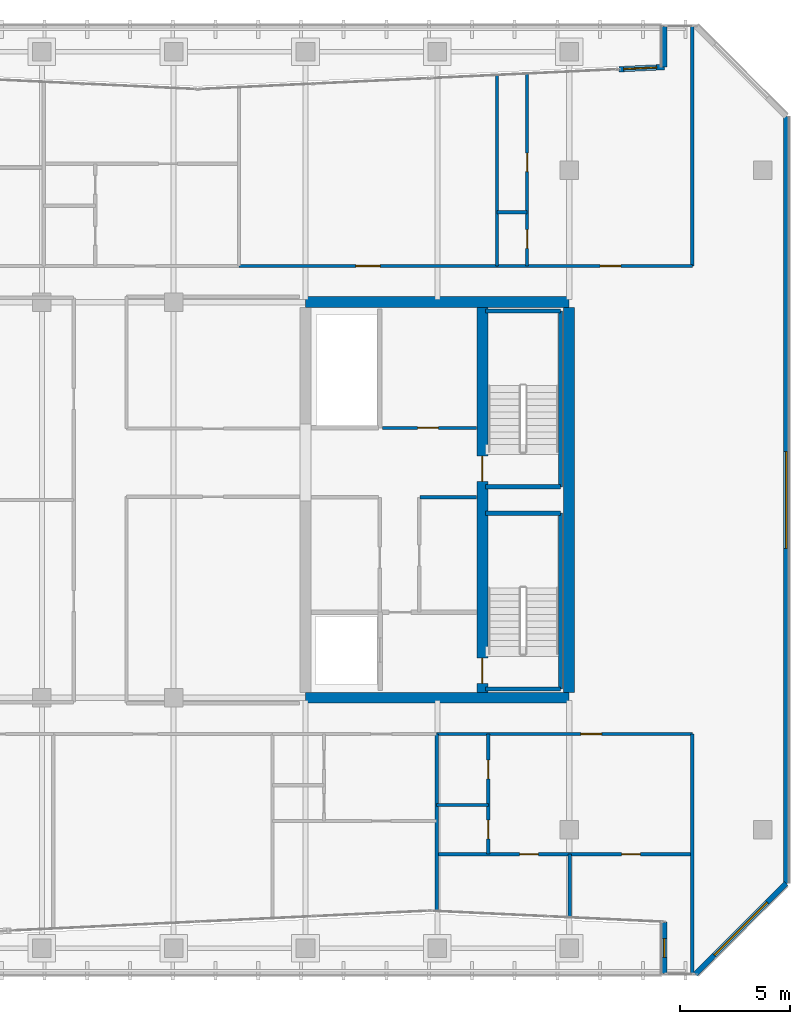
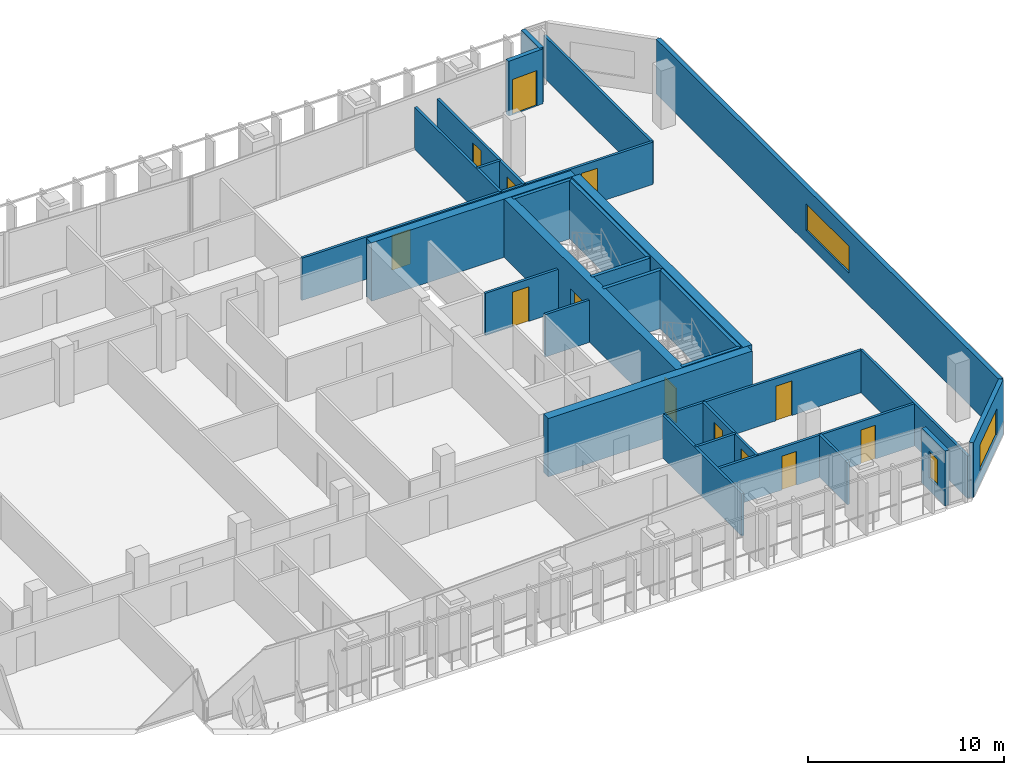
# One storey, part 22 of 28: 30 walls, 13 doors, 3 windows, 16 openings.
"""IFC4 building model written with IfcOpenShell, lengths in metres."""

from ifc_helpers import new_model, si_unit, direction, frame, frame_2d, origin, place, context, subcontext, project, spatial, rectangle, extrude, material, layer, layer_set, type_object, element, fill, save


model = new_model("IFC4")

# Units and contexts
model_context = context("Model", 3, precision=1e-05, world=origin(), true_north=direction((0.0, 1.0)))
body_context = subcontext(model_context, "Body", "Model", "MODEL_VIEW")
ifc_project = project(units=[si_unit("LENGTHUNIT", "METRE"), si_unit("AREAUNIT", "SQUARE_METRE"), si_unit("VOLUMEUNIT", "CUBIC_METRE"), si_unit("PLANEANGLEUNIT", "RADIAN"), si_unit("MASSUNIT", "GRAM", prefix="KILO")], contexts=[model_context])

# Site, building, storey
site_placement = place(None, origin())
site = spatial("IfcSite", under=ifc_project, at=site_placement, CompositionType="ELEMENT")
building_placement = place(site_placement, origin())
building = spatial("IfcBuilding", under=site, at=building_placement, Name="Tanjung Sevakor Pilgrim Tower", CompositionType="ELEMENT")
storey_placement = place(building_placement, frame((0.0, 0.0, 158.39990234375)))
storey = spatial("IfcBuildingStorey", under=building, at=storey_placement, Name="L44", CompositionType="ELEMENT", Elevation=158.39990234375)

# Walls
ifc_material_1 = material(Name="Concrete C60/75", Category="concrete")
ifc_layer_1 = layer(ifc_material_1, 0.5)
ifc_layer_set_1 = layer_set([ifc_layer_1], Name="WALL-CW-500")
wall_type_1 = type_object("IfcWallType", Name="WALL-CW-500", PredefinedType="SHEAR", material=ifc_layer_set_1)
for number, where, z_axis, x_axis, name in (
    (1, (78.0, 24.60009765625, 0.0), (0.0, 0.0, 1.0), (1.0, 0.0, 0.0), "L44 E Core South Shear Wall"),
    (2, (90.0, 42.60009765625, 0.0), (0.0, 0.0, 1.0), (-1.0, 0.0, 0.0), "L44 E Core North Shear Wall"),
):
    element("IfcWall", number, at=place(storey_placement, frame(where, z_axis=z_axis, x_axis=x_axis)), inside=storey, type_object=wall_type_1, Name=name, PredefinedType="SHEAR", context=body_context, shape_type="SweptSolid", body=[
        extrude(rectangle(XDim=12.0, YDim=0.5, at=frame_2d((6.0, 0.0))), origin(), (0.0, 0.0, 1.0), 3.630126953125),
    ])
wall_1_placement = place(storey_placement, frame((90.0, 24.85009765625, 0.0), z_axis=(0.0, 0.0, 1.0), x_axis=(0.0, 1.0, 0.0)))
element("IfcWall", 3, at=wall_1_placement, inside=storey, type_object=wall_type_1, Name="L44 E Core Outer Shear Wall", PredefinedType="SHEAR", context=body_context, shape_type="SweptSolid", body=[
    extrude(rectangle(XDim=17.5, YDim=0.5, at=frame_2d((8.75, 0.0))), origin(), (0.0, 0.0, 1.0), 3.630126953125),
])

# Wall, openings, doors
wall_2_placement = place(storey_placement, frame((86.050048828125, 24.85009765625, 0.0), z_axis=(0.0, 0.0, 1.0), x_axis=(0.0, 1.0, 0.0)))
wall_2 = element("IfcWall", 4, at=wall_2_placement, inside=storey, type_object=wall_type_1, Name="L44 E Core Stair Spine Wall", PredefinedType="SHEAR", context=body_context, shape_type="SweptSolid", body=[
    extrude(rectangle(XDim=17.5, YDim=0.5, at=frame_2d((8.75, 0.0))), origin(), (0.0, 0.0, 1.0), 3.630126953125),
])
opening_1_placement = place(wall_2_placement, frame((0.39990234375, 0.0, 0.0)))
opening_1 = element("IfcOpeningElement", 5, at=opening_1_placement, cuts=wall_2, Name="Opening ID-ST1", PredefinedType="OPENING", context=body_context, shape_type="SweptSolid", body=[
    extrude(rectangle(XDim=1.14990234375, YDim=2.14990234375, at=frame_2d((0.574951171875, 1.074951171875))), frame((0.0, 0.260009765625, 0.0), z_axis=(0.0, -1.0, 0.0), x_axis=(1.0, 0.0, 0.0)), (0.0, 0.0, 1.0), 0.52001953125),
])
opening_2_placement = place(wall_2_placement, frame((9.60009765625, 0.0, 0.0)))
opening_2 = element("IfcOpeningElement", 6, at=opening_2_placement, cuts=wall_2, Name="Opening ID-ST1", PredefinedType="OPENING", context=body_context, shape_type="SweptSolid", body=[
    extrude(rectangle(XDim=1.14990234375, YDim=2.14990234375, at=frame_2d((0.574951171875, 1.074951171875))), frame((0.0, 0.260009765625, 0.0), z_axis=(0.0, -1.0, 0.0), x_axis=(1.0, 0.0, 0.0)), (0.0, 0.0, 1.0), 0.52001953125),
])
ifc_material_2 = material(Name="Fire-Rated Steel S355J2", Category="steel")
door_type_1 = type_object("IfcDoorType", Name="DT-FIRE-1150", OperationType="NOTDEFINED", PredefinedType="DOOR", material=ifc_material_2)
door_1_placement = place(opening_1_placement, origin())
door_1 = element("IfcDoor", 7, at=door_1_placement, inside=storey, type_object=door_type_1, Name="L44 TS-E1 Stair Fire Door", OperationType="SINGLE_SWING_LEFT", OverallHeight=2.14990234375, OverallWidth=1.14990234375, PredefinedType="DOOR", context=body_context, shape_type="SweptSolid", body=[
    extrude(rectangle(XDim=1.14990234375, YDim=2.14990234375, at=frame_2d((0.574951171875, 1.074951171875))), frame((0.0, 0.02490234375, 0.0), z_axis=(0.0, -1.0, 0.0), x_axis=(1.0, 0.0, 0.0)), (0.0, 0.0, 1.0), 0.050048828125),
])
fill(opening_1, door_1)
door_2_placement = place(opening_2_placement, origin())
door_2 = element("IfcDoor", 8, at=door_2_placement, inside=storey, type_object=door_type_1, Name="L44 TS-E2 Stair Fire Door", OperationType="SINGLE_SWING_RIGHT", OverallHeight=2.14990234375, OverallWidth=1.14990234375, PredefinedType="DOOR", context=body_context, shape_type="SweptSolid", body=[
    extrude(rectangle(XDim=1.14990234375, YDim=2.14990234375, at=frame_2d((0.574951171875, 1.074951171875))), frame((0.0, 0.02490234375, 0.0), z_axis=(0.0, -1.0, 0.0), x_axis=(1.0, 0.0, 0.0)), (0.0, 0.0, 1.0), 0.050048828125),
])
fill(opening_2, door_2)

# Wall
ifc_material_3 = material(Name="Concrete C40/50", Category="concrete")
ifc_layer_2 = layer(ifc_material_3, 0.14990234375)
ifc_layer_set_2 = layer_set([ifc_layer_2], Name="WT-COMP-150")
wall_type_2 = type_object("IfcWallType", Name="WT-COMP-150", PredefinedType="SOLIDWALL", material=ifc_layer_set_2)
wall_3_placement = place(storey_placement, frame((83.199951171875, 33.719970703125, 0.0), z_axis=(0.0, 0.0, 1.0), x_axis=(1.0, 0.0, 0.0)))
element("IfcWall", 9, at=wall_3_placement, inside=storey, type_object=wall_type_2, Name="L44 Partition IW-L44-012", PredefinedType="SOLIDWALL", context=body_context, shape_type="SweptSolid", body=[
    extrude(rectangle(XDim=2.580078125, YDim=0.14990234375, at=frame_2d((1.2900390625, 0.0))), origin(), (0.0, 0.0, 1.0), 2.6298828125),
])

# Wall, opening, door
wall_4_placement = place(storey_placement, frame((81.5, 36.8798828125, 0.0), z_axis=(0.0, 0.0, 1.0), x_axis=(1.0, 0.0, 0.0)))
wall_4 = element("IfcWall", 10, at=wall_4_placement, inside=storey, type_object=wall_type_2, Name="L44 Partition IW-L44-016", PredefinedType="SOLIDWALL", context=body_context, shape_type="SweptSolid", body=[
    extrude(rectangle(XDim=4.280029296875, YDim=0.14990234375, at=frame_2d((2.14013671875, 0.0))), origin(), (0.0, 0.0, 1.0), 2.6298828125),
])
opening_3_placement = place(wall_4_placement, frame((1.60009765625, 0.0, 0.0)))
opening_3 = element("IfcOpeningElement", 11, at=opening_3_placement, cuts=wall_4, Name="Opening ID-FD2", PredefinedType="OPENING", context=body_context, shape_type="SweptSolid", body=[
    extrude(rectangle(XDim=0.949951171875, YDim=2.14990234375, at=frame_2d((0.47509765625, 1.074951171875))), frame((0.0, 0.0849609375, 0.0), z_axis=(0.0, -1.0, 0.0), x_axis=(1.0, 0.0, 0.0)), (0.0, 0.0, 1.0), 0.169921875),
])
ifc_material_4 = material(Name="Fire-Rated Timber", Category="wood")
door_type_2 = type_object("IfcDoorType", Name="DT-FIRE-950", OperationType="NOTDEFINED", PredefinedType="DOOR", material=ifc_material_4)
door_3_placement = place(opening_3_placement, origin())
door_3 = element("IfcDoor", 12, at=door_3_placement, inside=storey, type_object=door_type_2, Name="L44 Core Prayer Room Door", OperationType="SINGLE_SWING_LEFT", OverallHeight=2.14990234375, OverallWidth=0.949951171875, PredefinedType="DOOR", context=body_context, shape_type="SweptSolid", body=[
    extrude(rectangle(XDim=0.949951171875, YDim=2.14990234375, at=frame_2d((0.47509765625, 1.074951171875))), frame((0.0, 0.02490234375, 0.0), z_axis=(0.0, -1.0, 0.0), x_axis=(1.0, 0.0, 0.0)), (0.0, 0.0, 1.0), 0.050048828125),
])
fill(opening_3, door_3)

# Walls
wall_5_placement = place(storey_placement, frame((95.60009765625, 12.02490234375, 0.0), z_axis=(0.0, 0.0, 1.0), x_axis=(0.0, 1.0, 0.0)))
element("IfcWall", 13, at=wall_5_placement, inside=storey, type_object=wall_type_2, Name="L44 Partition IW-L44-065", PredefinedType="SOLIDWALL", context=body_context, shape_type="SweptSolid", body=[
    extrude(rectangle(XDim=10.925048828125, YDim=0.14990234375, at=frame_2d((5.46240234375, 0.0))), origin(), (0.0, 0.0, 1.0), 2.6298828125),
])
wall_6_placement = place(storey_placement, frame((83.968505859375, 14.889892578125, 0.0), z_axis=(0.0, 0.0, 1.0), x_axis=(0.0, 1.0, 0.0)))
element("IfcWall", 14, at=wall_6_placement, inside=storey, type_object=wall_type_2, Name="L44 Partition IW-L44-074", PredefinedType="SOLIDWALL", context=body_context, shape_type="SweptSolid", body=[
    extrude(rectangle(XDim=8.06005859375, YDim=0.14990234375, at=frame_2d((4.030029296875, 0.0))), origin(), (0.0, 0.0, 1.0), 2.6298828125),
])

# Wall, opening, door
wall_7_placement = place(storey_placement, frame((83.968505859375, 22.949951171875, 0.0), z_axis=(0.0, 0.0, 1.0), x_axis=(1.0, 0.0, 0.0)))
wall_7 = element("IfcWall", 15, at=wall_7_placement, inside=storey, type_object=wall_type_2, Name="L44 Partition IW-L44-083", PredefinedType="SOLIDWALL", context=body_context, shape_type="SweptSolid", body=[
    extrude(rectangle(XDim=11.631591796875, YDim=0.14990234375, at=frame_2d((5.81591796875, 0.0))), origin(), (0.0, 0.0, 1.0), 2.6298828125),
])
opening_4_placement = place(wall_7_placement, frame((6.555908203125, 0.0, 0.0)))
opening_4 = element("IfcOpeningElement", 16, at=opening_4_placement, cuts=wall_7, Name="Opening ID-FD2", PredefinedType="OPENING", context=body_context, shape_type="SweptSolid", body=[
    extrude(rectangle(XDim=0.949951171875, YDim=2.14990234375, at=frame_2d((0.47509765625, 1.074951171875))), frame((0.0, 0.0849609375, 0.0), z_axis=(0.0, -1.0, 0.0), x_axis=(1.0, 0.0, 0.0)), (0.0, 0.0, 1.0), 0.169921875),
])
door_4_placement = place(opening_4_placement, origin())
door_4 = element("IfcDoor", 17, at=door_4_placement, inside=storey, type_object=door_type_2, Name="Suite Entrance", OperationType="SINGLE_SWING_LEFT", OverallHeight=2.14990234375, OverallWidth=0.949951171875, PredefinedType="DOOR", context=body_context, shape_type="SweptSolid", body=[
    extrude(rectangle(XDim=0.949951171875, YDim=2.14990234375, at=frame_2d((0.47509765625, 1.074951171875))), frame((0.0, 0.02490234375, 0.0), z_axis=(0.0, -1.0, 0.0), x_axis=(1.0, 0.0, 0.0)), (0.0, 0.0, 1.0), 0.050048828125),
])
fill(opening_4, door_4)

# Walls
wall_8_placement = place(storey_placement, frame((95.60009765625, 44.25, 0.0), z_axis=(0.0, 0.0, 1.0), x_axis=(0.0, 1.0, 0.0)))
element("IfcWall", 18, at=wall_8_placement, inside=storey, type_object=wall_type_2, Name="L44 Partition IW-L44-095", PredefinedType="SOLIDWALL", context=body_context, shape_type="SweptSolid", body=[
    extrude(rectangle(XDim=10.925048828125, YDim=0.14990234375, at=frame_2d((5.46240234375, 0.0))), origin(), (0.0, 0.0, 1.0), 2.6298828125),
])
wall_9_placement = place(storey_placement, frame((86.713623046875, 44.25, 0.0), z_axis=(0.0, 0.0, 1.0), x_axis=(0.0, 1.0, 0.0)))
element("IfcWall", 19, at=wall_9_placement, inside=storey, type_object=wall_type_2, Name="L44 Partition IW-L44-107", PredefinedType="SOLIDWALL", context=body_context, shape_type="SweptSolid", body=[
    extrude(rectangle(XDim=8.68994140625, YDim=0.14990234375, at=frame_2d((4.344970703125, 0.0))), origin(), (0.0, 0.0, 1.0), 2.6298828125),
])

# Wall, opening, door
wall_10_placement = place(storey_placement, frame((74.970703125, 44.25, 0.0), z_axis=(0.0, 0.0, 1.0), x_axis=(1.0, 0.0, 0.0)))
wall_10 = element("IfcWall", 20, at=wall_10_placement, inside=storey, type_object=wall_type_2, Name="L44 Partition IW-L44-108", PredefinedType="SOLIDWALL", context=body_context, shape_type="SweptSolid", body=[
    extrude(rectangle(XDim=11.742919921875, YDim=0.14990234375, at=frame_2d((5.87158203125, 0.0))), origin(), (0.0, 0.0, 1.0), 2.6298828125),
])
opening_5_placement = place(wall_10_placement, frame((5.3212890625, 0.0, 0.0)))
opening_5 = element("IfcOpeningElement", 21, at=opening_5_placement, cuts=wall_10, Name="Opening ID-FD0", PredefinedType="OPENING", context=body_context, shape_type="SweptSolid", body=[
    extrude(rectangle(XDim=1.10009765625, YDim=2.14990234375, at=frame_2d((0.550048828125, 1.074951171875))), frame((0.0, 0.0849609375, 0.0), z_axis=(0.0, -1.0, 0.0), x_axis=(1.0, 0.0, 0.0)), (0.0, 0.0, 1.0), 0.169921875),
])
ifc_material_5 = material(Name="Fire-Rated Steel S355J2", Category="steel")
door_type_3 = type_object("IfcDoorType", Name="DT-FIRE-1100", OperationType="NOTDEFINED", PredefinedType="DOOR", material=ifc_material_5)
door_5_placement = place(opening_5_placement, origin())
door_5 = element("IfcDoor", 22, at=door_5_placement, inside=storey, type_object=door_type_3, Name="Seminar Room Door", OperationType="SINGLE_SWING_LEFT", OverallHeight=2.14990234375, OverallWidth=1.10009765625, PredefinedType="DOOR", context=body_context, shape_type="SweptSolid", body=[
    extrude(rectangle(XDim=1.10009765625, YDim=2.14990234375, at=frame_2d((0.550048828125, 1.074951171875))), frame((0.0, 0.02490234375, 0.0), z_axis=(0.0, -1.0, 0.0), x_axis=(1.0, 0.0, 0.0)), (0.0, 0.0, 1.0), 0.050048828125),
])
fill(opening_5, door_5)

wall_11_placement = place(storey_placement, frame((86.713623046875, 44.25, 0.0), z_axis=(0.0, 0.0, 1.0), x_axis=(1.0, 0.0, 0.0)))
wall_11 = element("IfcWall", 23, at=wall_11_placement, inside=storey, type_object=wall_type_2, Name="L44 Partition IW-L44-111", PredefinedType="SOLIDWALL", context=body_context, shape_type="SweptSolid", body=[
    extrude(rectangle(XDim=8.886474609375, YDim=0.14990234375, at=frame_2d((4.443359375, 0.0))), origin(), (0.0, 0.0, 1.0), 2.6298828125),
])
opening_6_placement = place(wall_11_placement, frame((4.69140625, 0.0, 0.0)))
opening_6 = element("IfcOpeningElement", 24, at=opening_6_placement, cuts=wall_11, Name="Opening ID-FD2", PredefinedType="OPENING", context=body_context, shape_type="SweptSolid", body=[
    extrude(rectangle(XDim=0.949951171875, YDim=2.14990234375, at=frame_2d((0.47509765625, 1.074951171875))), frame((0.0, 0.0849609375, 0.0), z_axis=(0.0, -1.0, 0.0), x_axis=(1.0, 0.0, 0.0)), (0.0, 0.0, 1.0), 0.169921875),
])
door_6_placement = place(opening_6_placement, origin())
door_6 = element("IfcDoor", 25, at=door_6_placement, inside=storey, type_object=door_type_2, Name="Hostel Quad Entrance", OperationType="SINGLE_SWING_RIGHT", OverallHeight=2.14990234375, OverallWidth=0.949951171875, PredefinedType="DOOR", context=body_context, shape_type="SweptSolid", body=[
    extrude(rectangle(XDim=0.949951171875, YDim=2.14990234375, at=frame_2d((0.47509765625, 1.074951171875))), frame((0.0, 0.02490234375, 0.0), z_axis=(0.0, -1.0, 0.0), x_axis=(1.0, 0.0, 0.0)), (0.0, 0.0, 1.0), 0.050048828125),
])
fill(opening_6, door_6)

# Wall, opening, window
ifc_material_6 = material(Name="Precast concrete C45/55", Category="concrete")
ifc_layer_3 = layer(ifc_material_6, 0.25)
ifc_layer_set_3 = layer_set([ifc_layer_3], Name="WT-EW-STN3")
wall_type_3 = type_object("IfcWallType", Name="WT-EW-STN3", PredefinedType="SOLIDWALL", material=ifc_layer_set_3)
wall_12_placement = place(storey_placement, frame((94.324951171875, 14.399169921875, 0.0), z_axis=(0.0, 0.0, 1.0), x_axis=(0.0, -1.0, 0.0)))
wall_12 = element("IfcWall", 26, at=wall_12_placement, inside=storey, type_object=wall_type_3, Name="L44 MAIN Exterior Wall 14", PredefinedType="SOLIDWALL", context=body_context, shape_type="SweptSolid", body=[
    extrude(rectangle(XDim=2.374267578125, YDim=0.25, at=frame_2d((1.18701171875, 0.0))), origin(), (0.0, 0.0, 1.0), 3.409912109375),
])
opening_7_placement = place(wall_12_placement, frame((0.76220703125, 0.0, 0.780029296875)))
opening_7 = element("IfcOpeningElement", 27, at=opening_7_placement, cuts=wall_12, Name="Opening WN-SLM", PredefinedType="OPENING", context=body_context, shape_type="SweptSolid", body=[
    extrude(rectangle(XDim=0.85009765625, YDim=1.64990234375, at=frame_2d((0.425048828125, 0.824951171875))), frame((0.0, 0.135009765625, 0.0), z_axis=(0.0, -1.0, 0.0), x_axis=(1.0, 0.0, 0.0)), (0.0, 0.0, 1.0), 0.27001953125),
])
ifc_material_7 = material(Name="Thermally Broken Aluminium and Low-E Glass", Category="aluminium")
window_type_1 = type_object("IfcWindowType", Name="WTYP-WN-SLM", PartitioningType="SINGLE_PANEL", PredefinedType="WINDOW", material=ifc_material_7)
window_1_placement = place(opening_7_placement, origin())
window_1 = element("IfcWindow", 28, at=window_1_placement, inside=storey, type_object=window_type_1, Name="L44 Facade Window 01", OverallHeight=1.64990234375, OverallWidth=0.85009765625, PartitioningType="SINGLE_PANEL", PredefinedType="WINDOW", context=body_context, shape_type="SweptSolid", body=[
    extrude(rectangle(XDim=0.85009765625, YDim=1.64990234375, at=frame_2d((0.425048828125, 0.824951171875))), frame((0.0, 0.030029296875, 0.0), z_axis=(0.0, -1.0, 0.0), x_axis=(1.0, 0.0, 0.0)), (0.0, 0.0, 1.0), 0.06005859375),
])
fill(opening_7, window_1)

wall_13_placement = place(storey_placement, frame((95.748291015625, 12.02490234375, 0.0), z_axis=(0.0, 0.0, 1.0), x_axis=(0.70708586489, 0.707127696864, 0.0)))
wall_13 = element("IfcWall", 29, at=wall_13_placement, inside=storey, type_object=wall_type_3, Name="L44 MAIN Sculpted Corner Wall 15", PredefinedType="SOLIDWALL", context=body_context, shape_type="SweptSolid", body=[
    extrude(rectangle(XDim=5.836181640625, YDim=0.25, at=frame_2d((2.91796875, 0.0))), origin(), (0.0, 0.0, 1.0), 3.409912109375),
])
opening_8_placement = place(wall_13_placement, frame((1.218017578125, 0.0, 0.780029296875)))
opening_8 = element("IfcOpeningElement", 30, at=opening_8_placement, cuts=wall_13, Name="Opening WN-CHM-1660", PredefinedType="OPENING", context=body_context, shape_type="SweptSolid", body=[
    extrude(rectangle(XDim=3.39990234375, YDim=1.659912109375, at=frame_2d((1.699951171875, 0.830078125))), frame((0.0, 0.135009765625, 0.0), z_axis=(0.0, -1.0, 0.0), x_axis=(1.0, 0.0, 0.0)), (0.0, 0.0, 1.0), 0.27001953125),
])
ifc_material_8 = material(Name="Thermally Broken Aluminium and Low-E Glass", Category="aluminium")
window_type_2 = type_object("IfcWindowType", Name="WTYP-WN-CHM-1660", PartitioningType="DOUBLE_PANEL_VERTICAL", PredefinedType="WINDOW", material=ifc_material_8)
window_2_placement = place(opening_8_placement, origin())
window_2 = element("IfcWindow", 31, at=window_2_placement, inside=storey, type_object=window_type_2, Name="L44 Facade Window 01", OverallHeight=1.659912109375, OverallWidth=3.39990234375, PartitioningType="SINGLE_PANEL", PredefinedType="WINDOW", context=body_context, shape_type="SweptSolid", body=[
    extrude(rectangle(XDim=3.39990234375, YDim=1.659912109375, at=frame_2d((1.699951171875, 0.830078125))), frame((0.0, 0.030029296875, 0.0), z_axis=(0.0, -1.0, 0.0), x_axis=(1.0, 0.0, 0.0)), (0.0, 0.0, 1.0), 0.06005859375),
])
fill(opening_8, window_2)

wall_14_placement = place(storey_placement, frame((99.875, 16.15185546875, 0.0), z_axis=(0.0, 0.0, 1.0), x_axis=(0.0, 1.0, 0.0)))
wall_14 = element("IfcWall", 32, at=wall_14_placement, inside=storey, type_object=wall_type_3, Name="L44 MAIN Exterior Wall 17", PredefinedType="SOLIDWALL", context=body_context, shape_type="SweptSolid", body=[
    extrude(rectangle(XDim=34.896240234375, YDim=0.25, at=frame_2d((17.4482421875, 0.0))), origin(), (0.0, 0.0, 1.0), 3.409912109375),
])
opening_9_placement = place(wall_14_placement, frame((15.248291015625, 0.0, 0.780029296875)))
opening_9 = element("IfcOpeningElement", 33, at=opening_9_placement, cuts=wall_14, Name="Opening WN-ENDW-1660", PredefinedType="OPENING", context=body_context, shape_type="SweptSolid", body=[
    extrude(rectangle(XDim=4.39990234375, YDim=1.659912109375, at=frame_2d((2.199951171875, 0.830078125))), frame((0.0, 0.135009765625, 0.0), z_axis=(0.0, -1.0, 0.0), x_axis=(1.0, 0.0, 0.0)), (0.0, 0.0, 1.0), 0.27001953125),
])
ifc_material_9 = material(Name="Thermally Broken Aluminium and Low-E Glass", Category="aluminium")
window_type_3 = type_object("IfcWindowType", Name="WTYP-WN-ENDW-1660", PartitioningType="DOUBLE_PANEL_VERTICAL", PredefinedType="WINDOW", material=ifc_material_9)
window_3_placement = place(opening_9_placement, origin())
window_3 = element("IfcWindow", 34, at=window_3_placement, inside=storey, type_object=window_type_3, Name="L44 Facade Window 01", OverallHeight=1.659912109375, OverallWidth=4.39990234375, PartitioningType="SINGLE_PANEL", PredefinedType="WINDOW", context=body_context, shape_type="SweptSolid", body=[
    extrude(rectangle(XDim=4.39990234375, YDim=1.659912109375, at=frame_2d((2.199951171875, 0.830078125))), frame((0.0, 0.030029296875, 0.0), z_axis=(0.0, -1.0, 0.0), x_axis=(1.0, 0.0, 0.0)), (0.0, 0.0, 1.0), 0.06005859375),
])
fill(opening_9, window_3)

# Wall
wall_15_placement = place(storey_placement, frame((94.324951171875, 55.175048828125, 0.0), z_axis=(0.0, 0.0, 1.0), x_axis=(0.0, -1.0, 0.0)))
element("IfcWall", 35, at=wall_15_placement, inside=storey, type_object=wall_type_3, Name="L44 MAIN Exterior Wall 20", PredefinedType="SOLIDWALL", context=body_context, shape_type="SweptSolid", body=[
    extrude(rectangle(XDim=1.874267578125, YDim=0.25, at=frame_2d((0.93701171875, 0.0))), origin(), (0.0, 0.0, 1.0), 3.409912109375),
])

# Wall, opening, door
wall_16_placement = place(storey_placement, frame((94.324951171875, 53.30078125, 0.0), z_axis=(0.0, 0.0, 1.0), x_axis=(-0.998881238641, -0.047289228075, 0.0)))
wall_16 = element("IfcWall", 36, at=wall_16_placement, inside=storey, type_object=wall_type_3, Name="L44 S-Curve Terrace Threshold Wall 20", PredefinedType="SOLIDWALL", context=body_context, shape_type="SweptSolid", body=[
    extrude(rectangle(XDim=2.059814453125, YDim=0.25, at=frame_2d((1.02978515625, 0.0))), origin(), (0.0, 0.0, 1.0), 3.409912109375),
])
opening_10_placement = place(wall_16_placement, frame((0.35009765625, 0.0, 0.0)))
opening_10 = element("IfcOpeningElement", 37, at=opening_10_placement, cuts=wall_16, Name="Opening ED-TER-1500", PredefinedType="OPENING", context=body_context, shape_type="SweptSolid", body=[
    extrude(rectangle(XDim=1.5, YDim=2.199951171875, at=frame_2d((0.75, 1.10009765625))), frame((0.0, 0.135009765625, 0.0), z_axis=(0.0, -1.0, 0.0), x_axis=(1.0, 0.0, 0.0)), (0.0, 0.0, 1.0), 0.27001953125),
])
ifc_material_10 = material(Name="Anodised Aluminium and Laminated Glass", Category="aluminium")
door_type_4 = type_object("IfcDoorType", Name="DTYP-ED-TER-1500", OperationType="DOUBLE_DOOR_SINGLE_SWING", PredefinedType="DOOR", material=ifc_material_10)
door_7_placement = place(opening_10_placement, frame((1.5, 0.0, 0.0), z_axis=(0.0, 0.0, 1.0), x_axis=(-1.0, 0.0, 0.0)))
door_7 = element("IfcDoor", 38, at=door_7_placement, inside=storey, type_object=door_type_4, Name="L44 S-Curve Terrace Access Door 20", OperationType="SINGLE_SWING_RIGHT", OverallHeight=2.199951171875, OverallWidth=1.5, PredefinedType="DOOR", context=body_context, shape_type="SweptSolid", body=[
    extrude(rectangle(XDim=1.5, YDim=2.199951171875, at=frame_2d((0.75, 1.10009765625))), frame((0.0, 0.02490234375, 0.0), z_axis=(0.0, -1.0, 0.0), x_axis=(1.0, 0.0, 0.0)), (0.0, 0.0, 1.0), 0.050048828125),
])
fill(opening_10, door_7)

# Walls
ifc_material_11 = material(Name="Concrete C40/50", Category="concrete")
ifc_layer_4 = layer(ifc_material_11, 0.199951171875)
ifc_layer_set_4 = layer_set([ifc_layer_4], Name="WT-FIRE-200")
wall_type_4 = type_object("IfcWallType", Name="WT-FIRE-200", PredefinedType="SOLIDWALL", material=ifc_layer_set_4)
wall_17_placement = place(storey_placement, frame((86.199951171875, 25.0, 0.0), z_axis=(0.0, 0.0, 1.0), x_axis=(1.0, 0.0, 0.0)))
element("IfcWall", 39, at=wall_17_placement, inside=storey, type_object=wall_type_4, Name="L44 TS-E1 Shaft Wall 1", PredefinedType="SOLIDWALL", context=body_context, shape_type="SweptSolid", body=[
    extrude(rectangle(XDim=3.400146484375, YDim=0.199951171875, at=frame_2d((1.7001953125, 0.0))), origin(), (0.0, 0.0, 1.0), 3.630126953125),
])
wall_18_placement = place(storey_placement, frame((89.60009765625, 25.0, 0.0), z_axis=(0.0, 0.0, 1.0), x_axis=(0.0, 1.0, 0.0)))
element("IfcWall", 40, at=wall_18_placement, inside=storey, type_object=wall_type_4, Name="L44 TS-E1 Shaft Wall 2", PredefinedType="SOLIDWALL", context=body_context, shape_type="SweptSolid", body=[
    extrude(rectangle(XDim=8.0, YDim=0.199951171875, at=frame_2d((4.0, 0.0))), origin(), (0.0, 0.0, 1.0), 3.630126953125),
])
for number, where, z_axis, x_axis, name in (
    (41, (89.60009765625, 33.0, 0.0), (0.0, 0.0, 1.0), (-1.0, 0.0, 0.0), "L44 TS-E1 Shaft Wall 3"),
    (42, (86.199951171875, 34.199951171875, 0.0), (0.0, 0.0, 1.0), (1.0, 0.0, 0.0), "L44 TS-E2 Shaft Wall 1"),
):
    element("IfcWall", number, at=place(storey_placement, frame(where, z_axis=z_axis, x_axis=x_axis)), inside=storey, type_object=wall_type_4, Name=name, PredefinedType="SOLIDWALL", context=body_context, shape_type="SweptSolid", body=[
        extrude(rectangle(XDim=3.400146484375, YDim=0.199951171875, at=frame_2d((1.7001953125, 0.0))), origin(), (0.0, 0.0, 1.0), 3.630126953125),
    ])
wall_19_placement = place(storey_placement, frame((89.60009765625, 34.199951171875, 0.0), z_axis=(0.0, 0.0, 1.0), x_axis=(0.0, 1.0, 0.0)))
element("IfcWall", 43, at=wall_19_placement, inside=storey, type_object=wall_type_4, Name="L44 TS-E2 Shaft Wall 2", PredefinedType="SOLIDWALL", context=body_context, shape_type="SweptSolid", body=[
    extrude(rectangle(XDim=8.0, YDim=0.199951171875, at=frame_2d((4.0, 0.0))), origin(), (0.0, 0.0, 1.0), 3.630126953125),
])
wall_20_placement = place(storey_placement, frame((89.60009765625, 42.199951171875, 0.0), z_axis=(0.0, 0.0, 1.0), x_axis=(-1.0, 0.0, 0.0)))
element("IfcWall", 44, at=wall_20_placement, inside=storey, type_object=wall_type_4, Name="L44 TS-E2 Shaft Wall 3", PredefinedType="SOLIDWALL", context=body_context, shape_type="SweptSolid", body=[
    extrude(rectangle(XDim=3.400146484375, YDim=0.199951171875, at=frame_2d((1.7001953125, 0.0))), origin(), (0.0, 0.0, 1.0), 3.630126953125),
])
ifc_material_12 = material(Name="Gypsum Board Partition", Category="gypsum board")
ifc_layer_5 = layer(ifc_material_12, 0.14990234375)
ifc_layer_set_5 = layer_set([ifc_layer_5], Name="WT-PART-150")
wall_type_5 = type_object("IfcWallType", Name="WT-PART-150", PredefinedType="PARTITIONING", material=ifc_layer_set_5)
wall_21_placement = place(storey_placement, frame((83.968505859375, 19.723388671875, 0.0), z_axis=(0.0, 0.0, 1.0), x_axis=(1.0, 0.0, 0.0)))
element("IfcWall", 45, at=wall_21_placement, inside=storey, type_object=wall_type_5, Name="L44 Partition IW-L44-079", PredefinedType="PARTITIONING", context=body_context, shape_type="SweptSolid", body=[
    extrude(rectangle(XDim=2.349853515625, YDim=0.14990234375, at=frame_2d((1.1748046875, 0.0))), origin(), (0.0, 0.0, 1.0), 2.6298828125),
])

# Wall, openings, doors
wall_22_placement = place(storey_placement, frame((86.318359375, 17.48095703125, 0.0), z_axis=(0.0, 0.0, 1.0), x_axis=(0.0, 1.0, 0.0)))
wall_22 = element("IfcWall", 46, at=wall_22_placement, inside=storey, type_object=wall_type_5, Name="L44 Partition IW-L44-080", PredefinedType="PARTITIONING", context=body_context, shape_type="SweptSolid", body=[
    extrude(rectangle(XDim=5.468994140625, YDim=0.14990234375, at=frame_2d((2.734375, 0.0))), origin(), (0.0, 0.0, 1.0), 2.6298828125),
])
opening_11_placement = place(wall_22_placement, frame((0.696044921875, 0.0, 0.0)))
opening_11 = element("IfcOpeningElement", 47, at=opening_11_placement, cuts=wall_22, Name="Opening ID-WC1", PredefinedType="OPENING", context=body_context, shape_type="SweptSolid", body=[
    extrude(rectangle(XDim=0.85009765625, YDim=2.10009765625, at=frame_2d((0.425048828125, 1.050048828125))), frame((0.0, 0.0849609375, 0.0), z_axis=(0.0, -1.0, 0.0), x_axis=(1.0, 0.0, 0.0)), (0.0, 0.0, 1.0), 0.169921875),
])
opening_12_placement = place(wall_22_placement, frame((3.4306640625, 0.0, 0.0)))
opening_12 = element("IfcOpeningElement", 48, at=opening_12_placement, cuts=wall_22, Name="Opening ID-WC1", PredefinedType="OPENING", context=body_context, shape_type="SweptSolid", body=[
    extrude(rectangle(XDim=0.85009765625, YDim=2.10009765625, at=frame_2d((0.425048828125, 1.050048828125))), frame((0.0, 0.0849609375, 0.0), z_axis=(0.0, -1.0, 0.0), x_axis=(1.0, 0.0, 0.0)), (0.0, 0.0, 1.0), 0.169921875),
])
ifc_material_13 = material(Name="Moisture-Resistant Timber", Category="wood")
door_type_5 = type_object("IfcDoorType", Name="DT-INT-850", OperationType="NOTDEFINED", PredefinedType="DOOR", material=ifc_material_13)
door_8_placement = place(opening_11_placement, origin())
door_8 = element("IfcDoor", 49, at=door_8_placement, inside=storey, type_object=door_type_5, Name="Suite Bathroom Door", OperationType="SINGLE_SWING_LEFT", OverallHeight=2.10009765625, OverallWidth=0.85009765625, PredefinedType="DOOR", context=body_context, shape_type="SweptSolid", body=[
    extrude(rectangle(XDim=0.85009765625, YDim=2.10009765625, at=frame_2d((0.425048828125, 1.050048828125))), frame((0.0, 0.02490234375, 0.0), z_axis=(0.0, -1.0, 0.0), x_axis=(1.0, 0.0, 0.0)), (0.0, 0.0, 1.0), 0.050048828125),
])
fill(opening_11, door_8)
door_9_placement = place(opening_12_placement, origin())
door_9 = element("IfcDoor", 50, at=door_9_placement, inside=storey, type_object=door_type_5, Name="Suite Kitchenette Door", OperationType="SINGLE_SWING_RIGHT", OverallHeight=2.10009765625, OverallWidth=0.85009765625, PredefinedType="DOOR", context=body_context, shape_type="SweptSolid", body=[
    extrude(rectangle(XDim=0.85009765625, YDim=2.10009765625, at=frame_2d((0.425048828125, 1.050048828125))), frame((0.0, 0.02490234375, 0.0), z_axis=(0.0, -1.0, 0.0), x_axis=(1.0, 0.0, 0.0)), (0.0, 0.0, 1.0), 0.050048828125),
])
fill(opening_12, door_9)

# Wall
wall_23_placement = place(storey_placement, frame((90.016845703125, 14.603515625, 0.0), z_axis=(0.0, 0.0, 1.0), x_axis=(0.0, 1.0, 0.0)))
element("IfcWall", 51, at=wall_23_placement, inside=storey, type_object=wall_type_5, Name="L44 Partition IW-L44-081", PredefinedType="PARTITIONING", context=body_context, shape_type="SweptSolid", body=[
    extrude(rectangle(XDim=2.87744140625, YDim=0.14990234375, at=frame_2d((1.438720703125, 0.0))), origin(), (0.0, 0.0, 1.0), 2.6298828125),
])

# Wall, openings, doors
wall_24_placement = place(storey_placement, frame((83.968505859375, 17.48095703125, 0.0), z_axis=(0.0, 0.0, 1.0), x_axis=(1.0, 0.0, 0.0)))
wall_24 = element("IfcWall", 52, at=wall_24_placement, inside=storey, type_object=wall_type_5, Name="L44 Partition IW-L44-082", PredefinedType="PARTITIONING", context=body_context, shape_type="SweptSolid", body=[
    extrude(rectangle(XDim=11.631591796875, YDim=0.14990234375, at=frame_2d((5.81591796875, 0.0))), origin(), (0.0, 0.0, 1.0), 2.6298828125),
])
opening_13_placement = place(wall_24_placement, frame((3.774169921875, 0.0, 0.0)))
opening_13 = element("IfcOpeningElement", 53, at=opening_13_placement, cuts=wall_24, Name="Opening ID-WC1", PredefinedType="OPENING", context=body_context, shape_type="SweptSolid", body=[
    extrude(rectangle(XDim=0.85009765625, YDim=2.10009765625, at=frame_2d((0.425048828125, 1.050048828125))), frame((0.0, 0.0849609375, 0.0), z_axis=(0.0, -1.0, 0.0), x_axis=(1.0, 0.0, 0.0)), (0.0, 0.0, 1.0), 0.169921875),
])
opening_14_placement = place(wall_24_placement, frame((8.4150390625, 0.0, 0.0)))
opening_14 = element("IfcOpeningElement", 54, at=opening_14_placement, cuts=wall_24, Name="Opening ID-WC1", PredefinedType="OPENING", context=body_context, shape_type="SweptSolid", body=[
    extrude(rectangle(XDim=0.85009765625, YDim=2.10009765625, at=frame_2d((0.425048828125, 1.050048828125))), frame((0.0, 0.0849609375, 0.0), z_axis=(0.0, -1.0, 0.0), x_axis=(1.0, 0.0, 0.0)), (0.0, 0.0, 1.0), 0.169921875),
])
door_10_placement = place(opening_13_placement, origin())
door_10 = element("IfcDoor", 55, at=door_10_placement, inside=storey, type_object=door_type_5, Name="Suite Bedroom 1 Door", OperationType="SINGLE_SWING_LEFT", OverallHeight=2.10009765625, OverallWidth=0.85009765625, PredefinedType="DOOR", context=body_context, shape_type="SweptSolid", body=[
    extrude(rectangle(XDim=0.85009765625, YDim=2.10009765625, at=frame_2d((0.425048828125, 1.050048828125))), frame((0.0, 0.02490234375, 0.0), z_axis=(0.0, -1.0, 0.0), x_axis=(1.0, 0.0, 0.0)), (0.0, 0.0, 1.0), 0.050048828125),
])
fill(opening_13, door_10)
door_11_placement = place(opening_14_placement, origin())
door_11 = element("IfcDoor", 56, at=door_11_placement, inside=storey, type_object=door_type_5, Name="Suite Bedroom 2 Door", OperationType="SINGLE_SWING_RIGHT", OverallHeight=2.10009765625, OverallWidth=0.85009765625, PredefinedType="DOOR", context=body_context, shape_type="SweptSolid", body=[
    extrude(rectangle(XDim=0.85009765625, YDim=2.10009765625, at=frame_2d((0.425048828125, 1.050048828125))), frame((0.0, 0.02490234375, 0.0), z_axis=(0.0, -1.0, 0.0), x_axis=(1.0, 0.0, 0.0)), (0.0, 0.0, 1.0), 0.050048828125),
])
fill(opening_14, door_11)

# Wall
wall_25_placement = place(storey_placement, frame((86.713623046875, 46.699951171875, 0.0), z_axis=(0.0, 0.0, 1.0), x_axis=(1.0, 0.0, 0.0)))
element("IfcWall", 57, at=wall_25_placement, inside=storey, type_object=wall_type_5, Name="L44 Partition IW-L44-109", PredefinedType="PARTITIONING", context=body_context, shape_type="SweptSolid", body=[
    extrude(rectangle(XDim=1.366455078125, YDim=0.14990234375, at=frame_2d((0.68310546875, 0.0))), origin(), (0.0, 0.0, 1.0), 2.6298828125),
])

# Wall, openings, doors
wall_26_placement = place(storey_placement, frame((88.080078125, 44.25, 0.0), z_axis=(0.0, 0.0, 1.0), x_axis=(0.0, 1.0, 0.0)))
wall_26 = element("IfcWall", 58, at=wall_26_placement, inside=storey, type_object=wall_type_5, Name="L44 Partition IW-L44-110", PredefinedType="PARTITIONING", context=body_context, shape_type="SweptSolid", body=[
    extrude(rectangle(XDim=8.7548828125, YDim=0.14990234375, at=frame_2d((4.37744140625, 0.0))), origin(), (0.0, 0.0, 1.0), 2.6298828125),
])
opening_15_placement = place(wall_26_placement, frame((0.800048828125, 0.0, 0.0)))
opening_15 = element("IfcOpeningElement", 59, at=opening_15_placement, cuts=wall_26, Name="Opening ID-WC1", PredefinedType="OPENING", context=body_context, shape_type="SweptSolid", body=[
    extrude(rectangle(XDim=0.85009765625, YDim=2.10009765625, at=frame_2d((0.425048828125, 1.050048828125))), frame((0.0, 0.0849609375, 0.0), z_axis=(0.0, -1.0, 0.0), x_axis=(1.0, 0.0, 0.0)), (0.0, 0.0, 1.0), 0.169921875),
])
opening_16_placement = place(wall_26_placement, frame((4.2900390625, 0.0, 0.0)))
opening_16 = element("IfcOpeningElement", 60, at=opening_16_placement, cuts=wall_26, Name="Opening ID-WC1", PredefinedType="OPENING", context=body_context, shape_type="SweptSolid", body=[
    extrude(rectangle(XDim=0.85009765625, YDim=2.10009765625, at=frame_2d((0.425048828125, 1.050048828125))), frame((0.0, 0.0849609375, 0.0), z_axis=(0.0, -1.0, 0.0), x_axis=(1.0, 0.0, 0.0)), (0.0, 0.0, 1.0), 0.169921875),
])
door_12_placement = place(opening_15_placement, origin())
door_12 = element("IfcDoor", 61, at=door_12_placement, inside=storey, type_object=door_type_5, Name="Bathroom Door", OperationType="SINGLE_SWING_RIGHT", OverallHeight=2.10009765625, OverallWidth=0.85009765625, PredefinedType="DOOR", context=body_context, shape_type="SweptSolid", body=[
    extrude(rectangle(XDim=0.85009765625, YDim=2.10009765625, at=frame_2d((0.425048828125, 1.050048828125))), frame((0.0, 0.02490234375, 0.0), z_axis=(0.0, -1.0, 0.0), x_axis=(1.0, 0.0, 0.0)), (0.0, 0.0, 1.0), 0.050048828125),
])
fill(opening_15, door_12)
door_13_placement = place(opening_16_placement, origin())
door_13 = element("IfcDoor", 62, at=door_13_placement, inside=storey, type_object=door_type_5, Name="Study Nook Door", OperationType="SINGLE_SWING_LEFT", OverallHeight=2.10009765625, OverallWidth=0.85009765625, PredefinedType="DOOR", context=body_context, shape_type="SweptSolid", body=[
    extrude(rectangle(XDim=0.85009765625, YDim=2.10009765625, at=frame_2d((0.425048828125, 1.050048828125))), frame((0.0, 0.02490234375, 0.0), z_axis=(0.0, -1.0, 0.0), x_axis=(1.0, 0.0, 0.0)), (0.0, 0.0, 1.0), 0.050048828125),
])
fill(opening_16, door_13)

save(model, "model.ifc")
